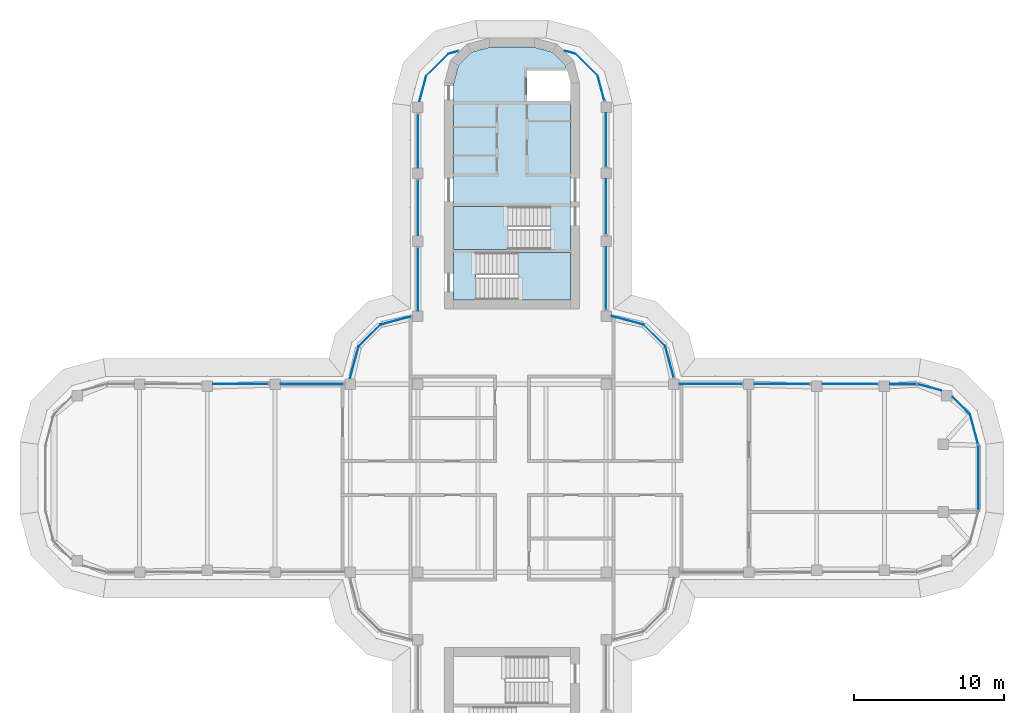
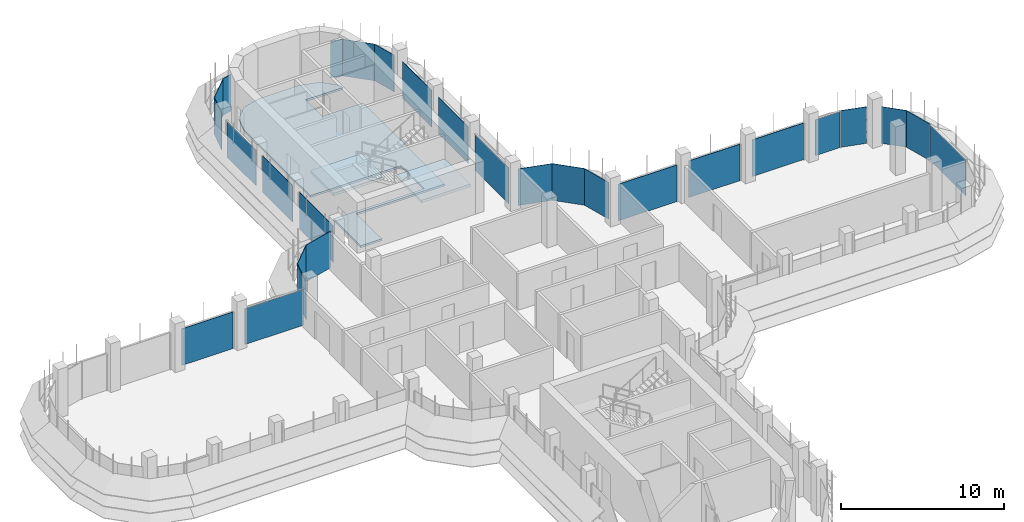
# One storey, part 12 of 19: 28 plates, 3 slabs, 22 elements without a shape of their own.
"""IFC4 building model written with IfcOpenShell, lengths in metres."""

from ifc_helpers import new_model, si_unit, direction, frame, origin, place, context, subcontext, project, spatial, polyline, outline, extrude, source, transform, mapped, material, layer, layer_set, type_object, element, aggregate, save


model = new_model("IFC4")

# Units and contexts
model_context = context("Model", 3, precision=1e-05, world=origin(), true_north=direction((0.0, 1.0)))
body_context = subcontext(model_context, "Body", "Model", "MODEL_VIEW")
ifc_project = project(units=[si_unit("LENGTHUNIT", "METRE"), si_unit("AREAUNIT", "SQUARE_METRE"), si_unit("VOLUMEUNIT", "CUBIC_METRE"), si_unit("PLANEANGLEUNIT", "RADIAN"), si_unit("MASSUNIT", "GRAM", prefix="KILO")], contexts=[model_context])

# Site, building, storey
site_placement = place(None, origin())
site = spatial("IfcSite", under=ifc_project, at=site_placement, CompositionType="ELEMENT")
building_placement = place(site_placement, origin())
building = spatial("IfcBuilding", under=site, at=building_placement, Name="Zarbagh Exchange Tower", CompositionType="ELEMENT")
storey_placement = place(building_placement, frame((0.0, 0.0, 222.0)))
storey = spatial("IfcBuildingStorey", under=building, at=storey_placement, Name="L54", CompositionType="ELEMENT", Elevation=222.0)

# Slab
ifc_material_1 = material(Name="Concrete C40/50", Category="concrete")
ifc_layer_1 = layer(ifc_material_1, 0.14990234375)
ifc_layer_set_1 = layer_set([ifc_layer_1], Name="Core floor slab 150 C40/50")
slab_type_1 = type_object("IfcSlabType", Name="Core floor slab 150 C40/50", PredefinedType="FLOOR", material=ifc_layer_set_1)
slab_1_placement = place(storey_placement, frame((0.0, 0.0, -0.14990234375)))
element("IfcSlab", 1, at=slab_1_placement, inside=storey, type_object=slab_type_1, Name="S17 core N", PredefinedType="FLOOR", context=body_context, shape_type="SweptSolid", body=[
    extrude(outline(polyline([(-3.89990234375, 11.85009765625), (-3.89990234375, 15.199951171875), (2.550048828125, 15.199951171875), (2.550048828125, 18.050048828125), (-3.89990234375, 18.050048828125), (-3.89990234375, 26.1708984375), (-3.56005859375, 27.439453125), (-2.689453125, 28.31005859375), (-1.4208984375, 28.64990234375), (1.4208984375, 28.64990234375), (2.689453125, 28.31005859375), (3.56005859375, 27.439453125), (3.651123046875, 27.10009765625), (1.0, 27.10009765625), (1.0, 25.050048828125), (3.89990234375, 25.050048828125), (3.89990234375, 15.0), (-2.39990234375, 15.0), (-2.39990234375, 11.85009765625), (-3.89990234375, 11.85009765625)])), origin(), (0.0, 0.0, 1.0), 0.14990234375),
])

# Stair, slab
stair_type = type_object("IfcStairType", Name="Exit stair two-flight half-turn", PredefinedType="HALF_TURN_STAIR", material=ifc_material_1)
stair_1_placement = place(storey_placement, origin())
stair_1 = element("IfcStair", 2, at=stair_1_placement, inside=storey, type_object=stair_type, Name="exit stair ST1", PredefinedType="HALF_TURN_STAIR")
ifc_layer_2 = layer(ifc_material_1, 0.199951171875)
ifc_layer_set_2 = layer_set([ifc_layer_2], Name="Stair landing 200 mm")
slab_type_2 = type_object("IfcSlabType", Name="Stair landing 200 mm", PredefinedType="LANDING", material=ifc_layer_set_2)
slab_2_placement = place(storey_placement, frame((0.0, 0.0, 1.699951171875)))
slab_2 = element("IfcSlab", 3, at=slab_2_placement, type_object=slab_type_2, Name="ST1 landing 1", PredefinedType="LANDING", context=body_context, shape_type="SweptSolid", body=[
    extrude(outline(polyline([(-0.25, 18.050048828125), (-3.89990234375, 18.050048828125), (-3.89990234375, 15.199951171875), (-0.25, 15.199951171875), (-0.25, 18.050048828125)])), origin(), (0.0, 0.0, 1.0), 0.199951171875),
])
aggregate(stair_1, [slab_2])

stair_2_placement = place(storey_placement, origin())
stair_2 = element("IfcStair", 4, at=stair_2_placement, inside=storey, type_object=stair_type, Name="exit stair ST2", PredefinedType="HALF_TURN_STAIR")
slab_3_placement = place(storey_placement, frame((0.0, 0.0, 1.699951171875)))
slab_3 = element("IfcSlab", 5, at=slab_3_placement, type_object=slab_type_2, Name="ST2 landing 1", PredefinedType="LANDING", context=body_context, shape_type="SweptSolid", body=[
    extrude(outline(polyline([(0.39990234375, 11.85009765625), (3.89990234375, 11.85009765625), (3.89990234375, 15.0), (0.39990234375, 15.0), (0.39990234375, 11.85009765625)])), origin(), (0.0, 0.0, 1.0), 0.199951171875),
])
aggregate(stair_2, [slab_3])

# Curtain wall, plate
ifc_material_2 = material(Name="Anodised aluminium frame and glazing", Category="aluminium")
curtain_wall_type = type_object("IfcCurtainWallType", Name="CWB Ribbon glazing, upper zones", PredefinedType="NOTDEFINED", material=ifc_material_2)
curtain_wall_1_placement = place(storey_placement, origin())
curtain_wall_1 = element("IfcCurtainWall", 6, at=curtain_wall_1_placement, inside=storey, type_object=curtain_wall_type, Name="CWB18 curtain wall", PredefinedType="NOTDEFINED")
ifc_material_3 = material(Name="Low-e double glazed unit, 6+12+6 mm")
ifc_layer_3 = layer(ifc_material_3, 0.031982421875)
ifc_layer_set_3 = layer_set([ifc_layer_3], Name="PAB Glazing panel, Low-e double glazed unit, 6+12+6 mm")
plate_type = type_object("IfcPlateType", Name="PAB Glazing panel, Low-e double glazed unit, 6+12+6 mm", PredefinedType="CURTAIN_PANEL", material=ifc_layer_set_3)
shared_shape_1 = source(origin(), body_context, "Body", "SweptSolid", [
    extrude(outline(polyline([(0.0, -0.01611328125), (2.061279296875, -0.01611328125), (2.061279296875, 0.01611328125), (0.0, 0.01611328125), (0.0, -0.01611328125)])), origin(), (0.0, 0.0, 1.0), 2.75),
])
placement = place(storey_placement, origin())
plate_1 = element("IfcPlate", 7, at=placement, type_object=plate_type, Name="CWB18 glazing panel 1.1", PredefinedType="CURTAIN_PANEL", context=body_context, shape_type="MappedRepresentation", body=[
    mapped(shared_shape_1, transform((10.19873046875, 8.7412109375, 0.0), x_axis=(-0.707106781187, 0.707106781187, 0.0), y_axis=(-0.707106781187, -0.707106781187, 0.0), z_axis=(0.0, 0.0, 1.0))),
])
aggregate(curtain_wall_1, [plate_1])

curtain_wall_2_placement = place(storey_placement, origin())
curtain_wall_2 = element("IfcCurtainWall", 8, at=curtain_wall_2_placement, inside=storey, type_object=curtain_wall_type, Name="CWB74 curtain wall", PredefinedType="NOTDEFINED")
plate_2 = element("IfcPlate", 9, at=placement, type_object=plate_type, Name="CWB74 glazing panel 1.1", PredefinedType="CURTAIN_PANEL", context=body_context, shape_type="MappedRepresentation", body=[
    mapped(shared_shape_1, transform((5.69873046875, 26.7412109375, 0.0), x_axis=(-0.707106781187, 0.707106781187, 0.0), y_axis=(-0.707106781187, -0.707106781187, 0.0), z_axis=(0.0, 0.0, 1.0))),
])
aggregate(curtain_wall_2, [plate_2])

curtain_wall_3_placement = place(storey_placement, origin())
curtain_wall_3 = element("IfcCurtainWall", 10, at=curtain_wall_3_placement, inside=storey, type_object=curtain_wall_type, Name="CWB71 curtain wall", PredefinedType="NOTDEFINED")
plate_3 = element("IfcPlate", 11, at=placement, type_object=plate_type, Name="CWB71 glazing panel 1.1", PredefinedType="CURTAIN_PANEL", context=body_context, shape_type="MappedRepresentation", body=[
    mapped(shared_shape_1, transform((-4.2412109375, 28.19873046875, 0.0), x_axis=(-0.707106781187, -0.707106781187, 0.0), y_axis=(0.707106781187, -0.707106781187, 0.0), z_axis=(0.0, 0.0, 1.0))),
])
aggregate(curtain_wall_3, [plate_3])

curtain_wall_4_placement = place(storey_placement, origin())
curtain_wall_4 = element("IfcCurtainWall", 12, at=curtain_wall_4_placement, inside=storey, type_object=curtain_wall_type, Name="CWB30 curtain wall", PredefinedType="NOTDEFINED")
plate_4 = element("IfcPlate", 13, at=placement, type_object=plate_type, Name="CWB30 glazing panel 1.1", PredefinedType="CURTAIN_PANEL", context=body_context, shape_type="MappedRepresentation", body=[
    mapped(shared_shape_1, transform((-8.7412109375, 10.19873046875, 0.0), x_axis=(-0.707106781187, -0.707106781187, 0.0), y_axis=(0.707106781187, -0.707106781187, 0.0), z_axis=(0.0, 0.0, 1.0))),
])
aggregate(curtain_wall_4, [plate_4])

curtain_wall_5_placement = place(storey_placement, origin())
curtain_wall_5 = element("IfcCurtainWall", 14, at=curtain_wall_5_placement, inside=storey, type_object=curtain_wall_type, Name="CWB67 curtain wall", PredefinedType="NOTDEFINED")
shared_shape_2 = source(origin(), body_context, "Body", "SweptSolid", [
    extrude(outline(polyline([(0.0, -0.01611328125), (3.56005859375, -0.01611328125), (3.56005859375, 0.01611328125), (0.0, 0.01611328125), (0.0, -0.01611328125)])), origin(), (0.0, 0.0, 1.0), 2.75),
])
plate_5 = element("IfcPlate", 15, at=placement, type_object=plate_type, Name="CWB67 glazing panel 3.1", PredefinedType="CURTAIN_PANEL", context=body_context, shape_type="MappedRepresentation", body=[
    mapped(shared_shape_2, transform((6.25, 20.699951171875, 0.0), x_axis=(0.0, 1.0, 0.0), y_axis=(-1.0, 0.0, 0.0), z_axis=(0.0, 0.0, 1.0))),
])

curtain_wall_6_placement = place(storey_placement, origin())
curtain_wall_6 = element("IfcCurtainWall", 16, at=curtain_wall_6_placement, inside=storey, type_object=curtain_wall_type, Name="CWB12 curtain wall", PredefinedType="NOTDEFINED")
shared_shape_3 = source(origin(), body_context, "Body", "SweptSolid", [
    extrude(outline(polyline([(0.0, -0.01611328125), (4.308349609375, -0.01611328125), (4.308349609375, 0.01611328125), (0.0, 0.01611328125), (0.0, -0.01611328125)])), origin(), (0.0, 0.0, 1.0), 2.68994140625),
])
plate_6 = element("IfcPlate", 17, at=placement, type_object=plate_type, Name="CWB12 glazing panel 1.1", PredefinedType="CURTAIN_PANEL", context=body_context, shape_type="MappedRepresentation", body=[
    mapped(shared_shape_3, transform((31.0, -2.124267578125, 0.0), x_axis=(0.0, 1.0, 0.0), y_axis=(-1.0, 0.0, 0.0), z_axis=(0.0, 0.0, 1.0))),
])
aggregate(curtain_wall_6, [plate_6])

curtain_wall_7_placement = place(storey_placement, origin())
curtain_wall_7 = element("IfcCurtainWall", 18, at=curtain_wall_7_placement, inside=storey, type_object=curtain_wall_type, Name="CWB13 curtain wall", PredefinedType="NOTDEFINED")
shared_shape_4 = source(origin(), body_context, "Body", "SweptSolid", [
    extrude(outline(polyline([(0.0, -0.01611328125), (2.069580078125, -0.01611328125), (2.069580078125, 0.01611328125), (0.0, 0.01611328125), (0.0, -0.01611328125)])), origin(), (0.0, 0.0, 1.0), 2.75),
])
plate_7 = element("IfcPlate", 19, at=placement, type_object=plate_type, Name="CWB13 glazing panel 1.1", PredefinedType="CURTAIN_PANEL", context=body_context, shape_type="MappedRepresentation", body=[
    mapped(shared_shape_4, transform((30.984375, 2.2421875, 0.0), x_axis=(-0.258824779902, 0.965924289636, 0.0), y_axis=(-0.965924289636, -0.258824779902, 0.0), z_axis=(0.0, 0.0, 1.0))),
])
aggregate(curtain_wall_7, [plate_7])

curtain_wall_8_placement = place(storey_placement, origin())
curtain_wall_8 = element("IfcCurtainWall", 20, at=curtain_wall_8_placement, inside=storey, type_object=curtain_wall_type, Name="CWB73 curtain wall", PredefinedType="NOTDEFINED")
shared_shape_5 = source(origin(), body_context, "Body", "SweptSolid", [
    extrude(outline(polyline([(0.0, -0.01611328125), (3.56005859375, -0.01611328125), (3.56005859375, 0.01611328125), (0.0, 0.01611328125), (0.0, -0.01611328125)])), origin(), (0.0, 0.0, 1.0), 2.68994140625),
])
plate_8 = element("IfcPlate", 21, at=placement, type_object=plate_type, Name="CWB73 glazing panel 1.1", PredefinedType="CURTAIN_PANEL", context=body_context, shape_type="MappedRepresentation", body=[
    mapped(shared_shape_5, transform((-6.25, 24.199951171875, 0.0), x_axis=(0.0, -1.0, 0.0), y_axis=(1.0, 0.0, 0.0), z_axis=(0.0, 0.0, 1.0))),
])

curtain_wall_9_placement = place(storey_placement, origin())
curtain_wall_9 = element("IfcCurtainWall", 22, at=curtain_wall_9_placement, inside=storey, type_object=curtain_wall_type, Name="CWB72 curtain wall", PredefinedType="NOTDEFINED")
shared_shape_6 = source(origin(), body_context, "Body", "SweptSolid", [
    extrude(outline(polyline([(0.0, -0.01611328125), (1.76123046875, -0.01611328125), (1.76123046875, 0.01611328125), (0.0, 0.01611328125), (0.0, -0.01611328125)])), origin(), (0.0, 0.0, 1.0), 2.75),
])
plate_9 = element("IfcPlate", 23, at=placement, type_object=plate_type, Name="CWB72 glazing panel 1.1", PredefinedType="CURTAIN_PANEL", context=body_context, shape_type="MappedRepresentation", body=[
    mapped(shared_shape_6, transform((-5.69873046875, 26.7412109375, 0.0), x_axis=(-0.258824779902, -0.965924289636, 0.0), y_axis=(0.965924289636, -0.258824779902, 0.0), z_axis=(0.0, 0.0, 1.0))),
])
aggregate(curtain_wall_9, [plate_9])

# Curtain wall, plates
curtain_wall_10_placement = place(storey_placement, origin())
curtain_wall_10 = element("IfcCurtainWall", 24, at=curtain_wall_10_placement, inside=storey, type_object=curtain_wall_type, Name="CWB16 curtain wall", PredefinedType="NOTDEFINED")
shared_shape_7 = source(origin(), body_context, "Body", "SweptSolid", [
    extrude(outline(polyline([(0.0, -0.01611328125), (3.659912109375, -0.01611328125), (3.659912109375, 0.01611328125), (0.0, 0.01611328125), (0.0, -0.01611328125)])), origin(), (0.0, 0.0, 1.0), 2.75),
])
plate_10 = element("IfcPlate", 25, at=placement, type_object=plate_type, Name="CWB16 glazing panel 2.1", PredefinedType="CURTAIN_PANEL", context=body_context, shape_type="MappedRepresentation", body=[
    mapped(shared_shape_7, transform((24.300048828125, 6.25, 0.0), x_axis=(-1.0, 0.0, 0.0), y_axis=(0.0, -1.0, 0.0), z_axis=(0.0, 0.0, 1.0))),
])
plate_11 = element("IfcPlate", 26, at=placement, type_object=plate_type, Name="CWB16 glazing panel 3.1", PredefinedType="CURTAIN_PANEL", context=body_context, shape_type="MappedRepresentation", body=[
    mapped(shared_shape_7, transform((19.800048828125, 6.25, 0.0), x_axis=(-1.0, 0.0, 0.0), y_axis=(0.0, -1.0, 0.0), z_axis=(0.0, 0.0, 1.0))),
])

# Plate
plate_12 = element("IfcPlate", 27, at=placement, type_object=plate_type, Name="CWB67 glazing panel 2.1", PredefinedType="CURTAIN_PANEL", context=body_context, shape_type="MappedRepresentation", body=[
    mapped(shared_shape_7, transform((6.25, 16.199951171875, 0.0), x_axis=(0.0, 1.0, 0.0), y_axis=(-1.0, 0.0, 0.0), z_axis=(0.0, 0.0, 1.0))),
])

plate_13 = element("IfcPlate", 28, at=placement, type_object=plate_type, Name="CWB73 glazing panel 2.1", PredefinedType="CURTAIN_PANEL", context=body_context, shape_type="MappedRepresentation", body=[
    mapped(shared_shape_7, transform((-6.25, 19.800048828125, 0.0), x_axis=(0.0, -1.0, 0.0), y_axis=(1.0, 0.0, 0.0), z_axis=(0.0, 0.0, 1.0))),
])

# Curtain wall, plate
curtain_wall_11_placement = place(storey_placement, origin())
curtain_wall_11 = element("IfcCurtainWall", 29, at=curtain_wall_11_placement, inside=storey, type_object=curtain_wall_type, Name="CWB58 curtain wall", PredefinedType="NOTDEFINED")
plate_14 = element("IfcPlate", 30, at=placement, type_object=plate_type, Name="CWB58 glazing panel 2.1", PredefinedType="CURTAIN_PANEL", context=body_context, shape_type="MappedRepresentation", body=[
    mapped(shared_shape_7, transform((-16.199951171875, 6.25, 0.0), x_axis=(-1.0, 0.0, 0.0), y_axis=(0.0, -1.0, 0.0), z_axis=(0.0, 0.0, 1.0))),
])

# Plate
shared_shape_8 = source(origin(), body_context, "Body", "SweptSolid", [
    extrude(outline(polyline([(0.0, -0.01611328125), (4.159912109375, -0.01611328125), (4.159912109375, 0.01611328125), (0.0, 0.01611328125), (0.0, -0.01611328125)])), origin(), (0.0, 0.0, 1.0), 2.75),
])
plate_15 = element("IfcPlate", 31, at=placement, type_object=plate_type, Name="CWB16 glazing panel 4.1", PredefinedType="CURTAIN_PANEL", context=body_context, shape_type="MappedRepresentation", body=[
    mapped(shared_shape_8, transform((15.300048828125, 6.25, 0.0), x_axis=(-1.0, 0.0, 0.0), y_axis=(0.0, -1.0, 0.0), z_axis=(0.0, 0.0, 1.0))),
])

plate_16 = element("IfcPlate", 32, at=placement, type_object=plate_type, Name="CWB73 glazing panel 3.1", PredefinedType="CURTAIN_PANEL", context=body_context, shape_type="MappedRepresentation", body=[
    mapped(shared_shape_8, transform((-6.25, 15.300048828125, 0.0), x_axis=(0.0, -1.0, 0.0), y_axis=(1.0, 0.0, 0.0), z_axis=(0.0, 0.0, 1.0))),
])

aggregate(curtain_wall_8, [plate_8, plate_13, plate_16])

# Curtain wall, plate
curtain_wall_12_placement = place(storey_placement, origin())
curtain_wall_12 = element("IfcCurtainWall", 33, at=curtain_wall_12_placement, inside=storey, type_object=curtain_wall_type, Name="CWB17 curtain wall", PredefinedType="NOTDEFINED")
shared_shape_9 = source(origin(), body_context, "Body", "SweptSolid", [
    extrude(outline(polyline([(0.0, -0.01611328125), (2.115234375, -0.01611328125), (2.115234375, 0.01611328125), (0.0, 0.01611328125), (0.0, -0.01611328125)])), origin(), (0.0, 0.0, 1.0), 2.75),
])
plate_17 = element("IfcPlate", 34, at=placement, type_object=plate_type, Name="CWB17 glazing panel 1.1", PredefinedType="CURTAIN_PANEL", context=body_context, shape_type="MappedRepresentation", body=[
    mapped(shared_shape_9, transform((10.746337890625, 6.697998046875, 0.0), x_axis=(-0.258824779902, 0.965924289636, 0.0), y_axis=(-0.965924289636, -0.258824779902, 0.0), z_axis=(0.0, 0.0, 1.0))),
])
aggregate(curtain_wall_12, [plate_17])

curtain_wall_13_placement = place(storey_placement, origin())
curtain_wall_13 = element("IfcCurtainWall", 35, at=curtain_wall_13_placement, inside=storey, type_object=curtain_wall_type, Name="CWB29 curtain wall", PredefinedType="NOTDEFINED")
plate_18 = element("IfcPlate", 36, at=placement, type_object=plate_type, Name="CWB29 glazing panel 1.1", PredefinedType="CURTAIN_PANEL", context=body_context, shape_type="MappedRepresentation", body=[
    mapped(shared_shape_9, transform((-6.697998046875, 10.746337890625, 0.0), x_axis=(-0.965924289636, -0.258824779902, 0.0), y_axis=(0.258824779902, -0.965924289636, 0.0), z_axis=(0.0, 0.0, 1.0))),
])
aggregate(curtain_wall_13, [plate_18])

curtain_wall_14_placement = place(storey_placement, origin())
curtain_wall_14 = element("IfcCurtainWall", 37, at=curtain_wall_14_placement, inside=storey, type_object=curtain_wall_type, Name="CWB19 curtain wall", PredefinedType="NOTDEFINED")
shared_shape_10 = source(origin(), body_context, "Body", "SweptSolid", [
    extrude(outline(polyline([(0.0, -0.01611328125), (2.17529296875, -0.01611328125), (2.17529296875, 0.01611328125), (0.0, 0.01611328125), (0.0, -0.01611328125)])), origin(), (0.0, 0.0, 1.0), 2.75),
])
plate_19 = element("IfcPlate", 38, at=placement, type_object=plate_type, Name="CWB19 glazing panel 1.1", PredefinedType="CURTAIN_PANEL", context=body_context, shape_type="MappedRepresentation", body=[
    mapped(shared_shape_10, transform((8.7412109375, 10.19873046875, 0.0), x_axis=(-0.965924289636, 0.258824779902, 0.0), y_axis=(-0.258824779902, -0.965924289636, 0.0), z_axis=(0.0, 0.0, 1.0))),
])
aggregate(curtain_wall_14, [plate_19])

curtain_wall_15_placement = place(storey_placement, origin())
curtain_wall_15 = element("IfcCurtainWall", 39, at=curtain_wall_15_placement, inside=storey, type_object=curtain_wall_type, Name="CWB31 curtain wall", PredefinedType="NOTDEFINED")
plate_20 = element("IfcPlate", 40, at=placement, type_object=plate_type, Name="CWB31 glazing panel 1.1", PredefinedType="CURTAIN_PANEL", context=body_context, shape_type="MappedRepresentation", body=[
    mapped(shared_shape_10, transform((-10.19873046875, 8.7412109375, 0.0), x_axis=(-0.258824779902, -0.965924289636, 0.0), y_axis=(0.965924289636, -0.258824779902, 0.0), z_axis=(0.0, 0.0, 1.0))),
])
aggregate(curtain_wall_15, [plate_20])

# Plate
shared_shape_11 = source(origin(), body_context, "Body", "SweptSolid", [
    extrude(outline(polyline([(0.0, -0.01611328125), (4.159912109375, -0.01611328125), (4.159912109375, 0.01611328125), (0.0, 0.01611328125), (0.0, -0.01611328125)])), origin(), (0.0, 0.0, 1.0), 2.68994140625),
])
plate_21 = element("IfcPlate", 41, at=placement, type_object=plate_type, Name="CWB67 glazing panel 1.1", PredefinedType="CURTAIN_PANEL", context=body_context, shape_type="MappedRepresentation", body=[
    mapped(shared_shape_11, transform((6.25, 11.199951171875, 0.0), x_axis=(0.0, 1.0, 0.0), y_axis=(-1.0, 0.0, 0.0), z_axis=(0.0, 0.0, 1.0))),
])

aggregate(curtain_wall_5, [plate_21, plate_12, plate_5])

plate_22 = element("IfcPlate", 42, at=placement, type_object=plate_type, Name="CWB58 glazing panel 1.1", PredefinedType="CURTAIN_PANEL", context=body_context, shape_type="MappedRepresentation", body=[
    mapped(shared_shape_11, transform((-11.199951171875, 6.25, 0.0), x_axis=(-1.0, 0.0, 0.0), y_axis=(0.0, -1.0, 0.0), z_axis=(0.0, 0.0, 1.0))),
])

aggregate(curtain_wall_11, [plate_22, plate_14])

# Curtain wall, plate
curtain_wall_16_placement = place(storey_placement, origin())
curtain_wall_16 = element("IfcCurtainWall", 43, at=curtain_wall_16_placement, inside=storey, type_object=curtain_wall_type, Name="CWB14 curtain wall", PredefinedType="NOTDEFINED")
shared_shape_12 = source(origin(), body_context, "Body", "SweptSolid", [
    extrude(outline(polyline([(0.0, -0.01611328125), (1.62744140625, -0.01611328125), (1.62744140625, 0.01611328125), (0.0, 0.01611328125), (0.0, -0.01611328125)])), origin(), (0.0, 0.0, 1.0), 2.75),
])
plate_23 = element("IfcPlate", 44, at=placement, type_object=plate_type, Name="CWB14 glazing panel 1.1", PredefinedType="CURTAIN_PANEL", context=body_context, shape_type="MappedRepresentation", body=[
    mapped(shared_shape_12, transform((30.44873046875, 4.2412109375, 0.0), x_axis=(-0.707106781187, 0.707106781187, 0.0), y_axis=(-0.707106781187, -0.707106781187, 0.0), z_axis=(0.0, 0.0, 1.0))),
])
aggregate(curtain_wall_16, [plate_23])

curtain_wall_17_placement = place(storey_placement, origin())
curtain_wall_17 = element("IfcCurtainWall", 45, at=curtain_wall_17_placement, inside=storey, type_object=curtain_wall_type, Name="CWB15 curtain wall", PredefinedType="NOTDEFINED")
shared_shape_13 = source(origin(), body_context, "Body", "SweptSolid", [
    extrude(outline(polyline([(0.0, -0.01611328125), (1.6396484375, -0.01611328125), (1.6396484375, 0.01611328125), (0.0, 0.01611328125), (0.0, -0.01611328125)])), origin(), (0.0, 0.0, 1.0), 2.75),
])
plate_24 = element("IfcPlate", 46, at=placement, type_object=plate_type, Name="CWB15 glazing panel 1.1", PredefinedType="CURTAIN_PANEL", context=body_context, shape_type="MappedRepresentation", body=[
    mapped(shared_shape_13, transform((28.51806640625, 5.82568359375, 0.0), x_axis=(-0.965924289636, 0.258824779902, 0.0), y_axis=(-0.258824779902, -0.965924289636, 0.0), z_axis=(0.0, 0.0, 1.0))),
])
aggregate(curtain_wall_17, [plate_24])

# Plate
shared_shape_14 = source(origin(), body_context, "Body", "SweptSolid", [
    extrude(outline(polyline([(0.0, -0.01611328125), (1.734130859375, -0.01611328125), (1.734130859375, 0.01611328125), (0.0, 0.01611328125), (0.0, -0.01611328125)])), origin(), (0.0, 0.0, 1.0), 2.68994140625),
])
plate_25 = element("IfcPlate", 47, at=placement, type_object=plate_type, Name="CWB16 glazing panel 1.1", PredefinedType="CURTAIN_PANEL", context=body_context, shape_type="MappedRepresentation", body=[
    mapped(shared_shape_14, transform((26.874267578125, 6.25, 0.0), x_axis=(-1.0, 0.0, 0.0), y_axis=(0.0, -1.0, 0.0), z_axis=(0.0, 0.0, 1.0))),
])

aggregate(curtain_wall_10, [plate_25, plate_10, plate_11, plate_15])

# Curtain wall, plate
curtain_wall_18_placement = place(storey_placement, origin())
curtain_wall_18 = element("IfcCurtainWall", 48, at=curtain_wall_18_placement, inside=storey, type_object=curtain_wall_type, Name="CWB68 curtain wall", PredefinedType="NOTDEFINED")
shared_shape_15 = source(origin(), body_context, "Body", "SweptSolid", [
    extrude(outline(polyline([(0.0, -0.01611328125), (1.701171875, -0.01611328125), (1.701171875, 0.01611328125), (0.0, 0.01611328125), (0.0, -0.01611328125)])), origin(), (0.0, 0.0, 1.0), 2.75),
])
plate_26 = element("IfcPlate", 49, at=placement, type_object=plate_type, Name="CWB68 glazing panel 1.1", PredefinedType="CURTAIN_PANEL", context=body_context, shape_type="MappedRepresentation", body=[
    mapped(shared_shape_15, transform((6.13916015625, 25.097900390625, 0.0), x_axis=(-0.258824779902, 0.965924289636, 0.0), y_axis=(-0.965924289636, -0.258824779902, 0.0), z_axis=(0.0, 0.0, 1.0))),
])
aggregate(curtain_wall_18, [plate_26])

curtain_wall_19_placement = place(storey_placement, origin())
curtain_wall_19 = element("IfcCurtainWall", 50, at=curtain_wall_19_placement, inside=storey, type_object=curtain_wall_type, Name="CWB69 curtain wall", PredefinedType="NOTDEFINED")
shared_shape_16 = source(origin(), body_context, "Body", "SweptSolid", [
    extrude(outline(polyline([(0.0, -0.01611328125), (0.757080078125, -0.01611328125), (0.757080078125, 0.01611328125), (0.0, 0.01611328125), (0.0, -0.01611328125)])), origin(), (0.0, 0.0, 1.0), 2.75),
])
plate_27 = element("IfcPlate", 51, at=placement, type_object=plate_type, Name="CWB69 glazing panel 1.1", PredefinedType="CURTAIN_PANEL", context=body_context, shape_type="MappedRepresentation", body=[
    mapped(shared_shape_16, transform((4.2412109375, 28.19873046875, 0.0), x_axis=(-0.965924289636, 0.258824779902, 0.0), y_axis=(-0.258824779902, -0.965924289636, 0.0), z_axis=(0.0, 0.0, 1.0))),
])
aggregate(curtain_wall_19, [plate_27])

curtain_wall_20_placement = place(storey_placement, origin())
curtain_wall_20 = element("IfcCurtainWall", 52, at=curtain_wall_20_placement, inside=storey, type_object=curtain_wall_type, Name="CWB70 curtain wall", PredefinedType="NOTDEFINED")
shared_shape_17 = source(origin(), body_context, "Body", "SweptSolid", [
    extrude(outline(polyline([(0.0, -0.01611328125), (0.697021484375, -0.01611328125), (0.697021484375, 0.01611328125), (0.0, 0.01611328125), (0.0, -0.01611328125)])), origin(), (0.0, 0.0, 1.0), 2.75),
])
plate_28 = element("IfcPlate", 53, at=placement, type_object=plate_type, Name="CWB70 glazing panel 1.1", PredefinedType="CURTAIN_PANEL", context=body_context, shape_type="MappedRepresentation", body=[
    mapped(shared_shape_17, transform((-3.56787109375, 28.379150390625, 0.0), x_axis=(-0.965924289636, -0.258824779902, 0.0), y_axis=(0.258824779902, -0.965924289636, 0.0), z_axis=(0.0, 0.0, 1.0))),
])
aggregate(curtain_wall_20, [plate_28])

save(model, "model.ifc")
